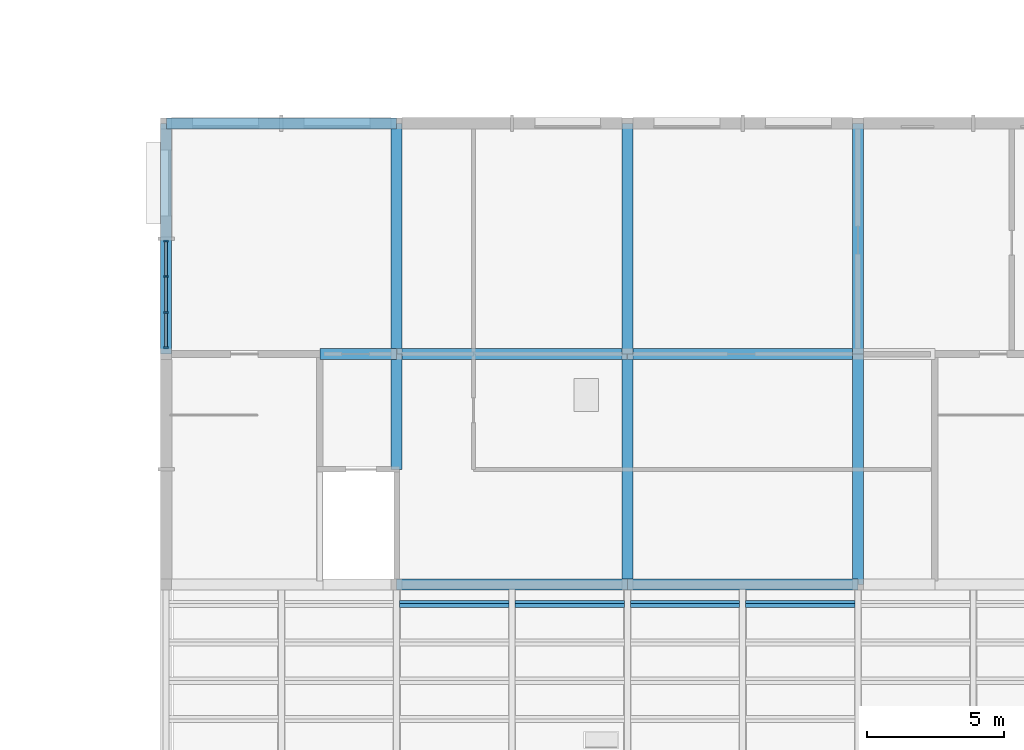
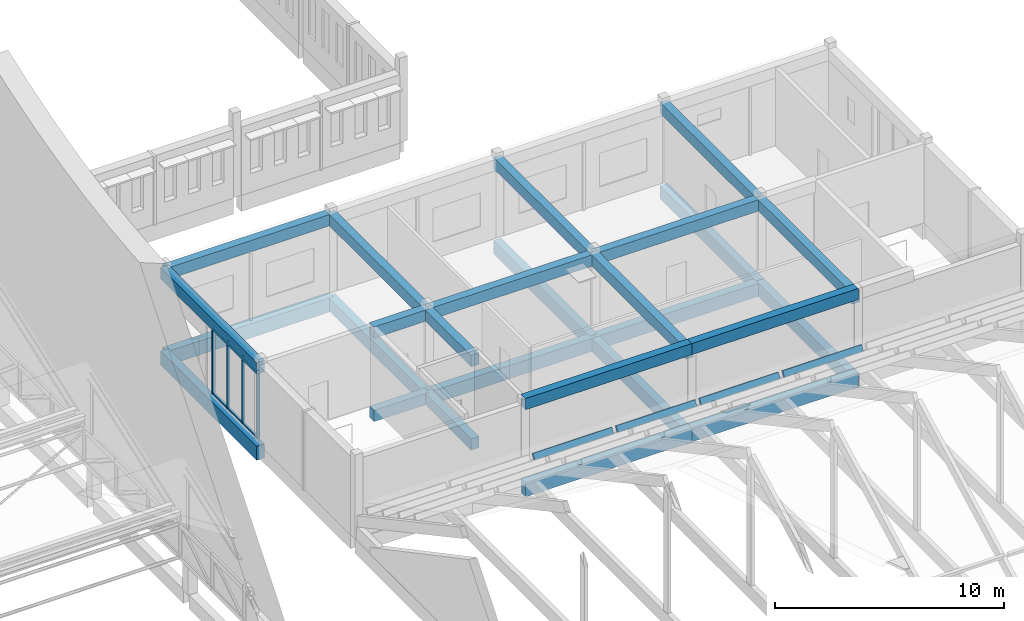
# One storey, part 46 of 101: 26 beams, 14 members, 1 element without a shape of its own.
"""IFC4 building model written with IfcOpenShell, lengths in metres."""

from ifc_helpers import new_model, si_unit, direction, frame, origin, origin_2d, place, context, subcontext, project, spatial, rectangle, extrude, material, material_profile, profile_set, type_object, element, aggregate, save


model = new_model("IFC4")

# Units and contexts
model_context = context("Model", 3, precision=1e-05, world=origin(), true_north=direction((0.0, 1.0)))
body_context = subcontext(model_context, "Body", "Model", "MODEL_VIEW")
ifc_project = project(units=[si_unit("LENGTHUNIT", "METRE"), si_unit("AREAUNIT", "SQUARE_METRE"), si_unit("VOLUMEUNIT", "CUBIC_METRE"), si_unit("PLANEANGLEUNIT", "RADIAN"), si_unit("MASSUNIT", "GRAM", prefix="KILO")], contexts=[model_context])

# Site, building, storey
site_placement = place(None, origin())
site = spatial("IfcSite", under=ifc_project, at=site_placement, CompositionType="ELEMENT")
building_placement = place(site_placement, origin())
building = spatial("IfcBuilding", under=site, at=building_placement, Name="Fescue Hill Polytechnic", CompositionType="ELEMENT")
storey_placement = place(building_placement, frame((0.0, 0.0, 9.0)))
storey = spatial("IfcBuildingStorey", under=building, at=storey_placement, Name="L02", CompositionType="ELEMENT", Elevation=9.0)

# Beams
ifc_material_1 = material(Name="Concrete 35 MPa", Category="concrete")
ifc_material_profile_1 = material_profile(ifc_material_1, rectangle(XDim=0.39990234375, YDim=0.60009765625, at=origin_2d()), Name="RC 400x600")
ifc_profile_set_1 = profile_set([ifc_material_profile_1], Name="Concrete 35 MPa")
beam_type_1 = type_object("IfcBeamType", Name="Beam RC 400x600", PredefinedType="BEAM", material=ifc_profile_set_1)
beam_1_placement = place(storey_placement, frame((131.60009765625, 42.0, -0.550048828125), z_axis=(1.0, 0.0, 0.0), x_axis=(0.0, 1.0, 0.0)))
element("IfcBeam", 1, at=beam_1_placement, inside=storey, type_object=beam_type_1, Name="BM-L02-0125", PredefinedType="BEAM", context=body_context, shape_type="SweptSolid", body=[
    extrude(rectangle(XDim=0.39990234375, YDim=0.60009765625, at=origin_2d()), origin(), (0.0, 0.0, 1.0), 2.789794921875),
])
beam_2_placement = place(storey_placement, frame((134.39990234375, 37.800048828125, -0.550048828125), z_axis=(0.0, 1.0, 0.0), x_axis=(-1.0, 0.0, 0.0)))
element("IfcBeam", 2, at=beam_2_placement, inside=storey, type_object=beam_type_1, Name="BM-L02-0126", PredefinedType="BEAM", context=body_context, shape_type="SweptSolid", body=[
    extrude(rectangle(XDim=0.39990234375, YDim=0.60009765625, at=origin_2d()), origin(), (0.0, 0.0, 1.0), 4.199951171875),
])
beam_3_placement = place(storey_placement, frame((126.0, 42.0, 3.89990234375), z_axis=(0.0, 1.0, 0.0), x_axis=(-1.0, 0.0, 0.0)))
element("IfcBeam", 3, at=beam_3_placement, inside=storey, type_object=beam_type_1, Name="BR-L02-0067", PredefinedType="BEAM", context=body_context, shape_type="SweptSolid", body=[
    extrude(rectangle(XDim=0.39990234375, YDim=0.60009765625, at=origin_2d()), origin(), (0.0, 0.0, 1.0), 8.39990234375),
])
beam_4_placement = place(storey_placement, frame((126.010009765625, 50.39990234375, 3.89990234375), z_axis=(1.0, 0.0, 0.0), x_axis=(0.0, 1.0, 0.0)))
element("IfcBeam", 4, at=beam_4_placement, inside=storey, type_object=beam_type_1, Name="BR-L02-0068", PredefinedType="BEAM", context=body_context, shape_type="SweptSolid", body=[
    extrude(rectangle(XDim=0.39990234375, YDim=0.60009765625, at=origin_2d()), origin(), (0.0, 0.0, 1.0), 8.3798828125),
])
beam_5_placement = place(storey_placement, frame((131.60009765625, 42.0, 3.89990234375), z_axis=(1.0, 0.0, 0.0), x_axis=(0.0, 1.0, 0.0)))
element("IfcBeam", 5, at=beam_5_placement, inside=storey, type_object=beam_type_1, Name="BR-L02-0069", PredefinedType="BEAM", context=body_context, shape_type="SweptSolid", body=[
    extrude(rectangle(XDim=0.39990234375, YDim=0.60009765625, at=origin_2d()), origin(), (0.0, 0.0, 1.0), 2.789794921875),
])
beam_6_placement = place(storey_placement, frame((134.39990234375, 37.800048828125, 3.89990234375), z_axis=(0.0, 1.0, 0.0), x_axis=(-1.0, 0.0, 0.0)))
element("IfcBeam", 6, at=beam_6_placement, inside=storey, type_object=beam_type_1, Name="BR-L02-0070", PredefinedType="BEAM", context=body_context, shape_type="SweptSolid", body=[
    extrude(rectangle(XDim=0.39990234375, YDim=0.60009765625, at=origin_2d()), origin(), (0.0, 0.0, 1.0), 4.199951171875),
])
beam_7_placement = place(storey_placement, frame((134.39990234375, 42.0, 3.89990234375), z_axis=(0.0, 1.0, 0.0), x_axis=(-1.0, 0.0, 0.0)))
element("IfcBeam", 7, at=beam_7_placement, inside=storey, type_object=beam_type_1, Name="BR-L02-0071", PredefinedType="BEAM", context=body_context, shape_type="SweptSolid", body=[
    extrude(rectangle(XDim=0.39990234375, YDim=0.60009765625, at=origin_2d()), origin(), (0.0, 0.0, 1.0), 8.39990234375),
])
beam_8_placement = place(storey_placement, frame((134.409912109375, 42.0, 3.89990234375), z_axis=(1.0, 0.0, 0.0), x_axis=(0.0, 1.0, 0.0)))
element("IfcBeam", 8, at=beam_8_placement, inside=storey, type_object=beam_type_1, Name="BR-L02-0072", PredefinedType="BEAM", context=body_context, shape_type="SweptSolid", body=[
    extrude(rectangle(XDim=0.39990234375, YDim=0.60009765625, at=origin_2d()), origin(), (0.0, 0.0, 1.0), 8.380126953125),
])
for number, where, z_axis, x_axis, name in (
    (9, (142.800048828125, 33.60009765625, 3.89990234375), (0.0, 1.0, 0.0), (-1.0, 0.0, 0.0), "BR-L02-0074"),
    (10, (142.800048828125, 42.0, 3.89990234375), (0.0, 1.0, 0.0), (-1.0, 0.0, 0.0), "BR-L02-0075"),
):
    element("IfcBeam", number, at=place(storey_placement, frame(where, z_axis=z_axis, x_axis=x_axis)), inside=storey, type_object=beam_type_1, Name=name, PredefinedType="BEAM", context=body_context, shape_type="SweptSolid", body=[
        extrude(rectangle(XDim=0.39990234375, YDim=0.60009765625, at=origin_2d()), origin(), (0.0, 0.0, 1.0), 8.39990234375),
    ])
beam_9_placement = place(storey_placement, frame((142.81005859375, 42.0, 3.89990234375), z_axis=(1.0, 0.0, 0.0), x_axis=(0.0, 1.0, 0.0)))
element("IfcBeam", 11, at=beam_9_placement, inside=storey, type_object=beam_type_1, Name="BR-L02-0076", PredefinedType="BEAM", context=body_context, shape_type="SweptSolid", body=[
    extrude(rectangle(XDim=0.39990234375, YDim=0.60009765625, at=origin_2d()), origin(), (0.0, 0.0, 1.0), 8.3798828125),
])
for number, where, z_axis, x_axis, name in (
    (12, (151.199951171875, 33.60009765625, 3.89990234375), (0.0, 1.0, 0.0), (-1.0, 0.0, 0.0), "BR-L02-0078"),
    (13, (151.199951171875, 42.0, 3.89990234375), (0.0, 1.0, 0.0), (-1.0, 0.0, 0.0), "BR-L02-0079"),
):
    element("IfcBeam", number, at=place(storey_placement, frame(where, z_axis=z_axis, x_axis=x_axis)), inside=storey, type_object=beam_type_1, Name=name, PredefinedType="BEAM", context=body_context, shape_type="SweptSolid", body=[
        extrude(rectangle(XDim=0.39990234375, YDim=0.60009765625, at=origin_2d()), origin(), (0.0, 0.0, 1.0), 8.39990234375),
    ])
beam_10_placement = place(storey_placement, frame((134.39990234375, 33.60009765625, 4.199951171875), z_axis=(1.0, 0.0, 0.0), x_axis=(0.0, 1.0, 0.0)))
element("IfcBeam", 14, at=beam_10_placement, inside=storey, type_object=beam_type_1, Name="BR-L02-0083", PredefinedType="BEAM", context=body_context, shape_type="SweptSolid", body=[
    extrude(rectangle(XDim=0.39990234375, YDim=0.60009765625, at=origin_2d()), origin(), (0.0, 0.0, 1.0), 8.400146484375),
])
beam_11_placement = place(storey_placement, frame((142.800048828125, 33.60009765625, 4.199951171875), z_axis=(1.0, 0.0, 0.0), x_axis=(0.0, 1.0, 0.0)))
element("IfcBeam", 15, at=beam_11_placement, inside=storey, type_object=beam_type_1, Name="BR-L02-0084", PredefinedType="BEAM", context=body_context, shape_type="SweptSolid", body=[
    extrude(rectangle(XDim=0.39990234375, YDim=0.60009765625, at=origin_2d()), origin(), (0.0, 0.0, 1.0), 8.39990234375),
])
ifc_material_profile_2 = material_profile(ifc_material_1, rectangle(XDim=0.39990234375, YDim=0.699951171875, at=origin_2d()), Name="RC 400x700")
ifc_profile_set_2 = profile_set([ifc_material_profile_2], Name="Concrete 35 MPa")
beam_type_2 = type_object("IfcBeamType", Name="Beam RC 400x700", PredefinedType="BEAM", material=ifc_profile_set_2)
beam_12_placement = place(storey_placement, frame((134.39990234375, 42.0, -0.60009765625), z_axis=(0.0, 1.0, 0.0), x_axis=(-1.0, 0.0, 0.0)))
element("IfcBeam", 16, at=beam_12_placement, inside=storey, type_object=beam_type_2, Name="BM-L02-0127", PredefinedType="BEAM", context=body_context, shape_type="SweptSolid", body=[
    extrude(rectangle(XDim=0.39990234375, YDim=0.699951171875, at=origin_2d()), origin(), (0.0, 0.0, 1.0), 8.39990234375),
])
beam_13_placement = place(storey_placement, frame((134.409912109375, 42.0, -0.60009765625), z_axis=(1.0, 0.0, 0.0), x_axis=(0.0, 1.0, 0.0)))
element("IfcBeam", 17, at=beam_13_placement, inside=storey, type_object=beam_type_2, Name="BM-L02-0128", PredefinedType="BEAM", context=body_context, shape_type="SweptSolid", body=[
    extrude(rectangle(XDim=0.39990234375, YDim=0.699951171875, at=origin_2d()), origin(), (0.0, 0.0, 1.0), 8.380126953125),
])
for number, where, z_axis, x_axis, name in (
    (18, (142.800048828125, 33.60009765625, -0.60009765625), (0.0, 1.0, 0.0), (-1.0, 0.0, 0.0), "BM-L02-0130"),
    (19, (142.800048828125, 42.0, -0.60009765625), (0.0, 1.0, 0.0), (-1.0, 0.0, 0.0), "BM-L02-0131"),
):
    element("IfcBeam", number, at=place(storey_placement, frame(where, z_axis=z_axis, x_axis=x_axis)), inside=storey, type_object=beam_type_2, Name=name, PredefinedType="BEAM", context=body_context, shape_type="SweptSolid", body=[
        extrude(rectangle(XDim=0.39990234375, YDim=0.699951171875, at=origin_2d()), origin(), (0.0, 0.0, 1.0), 8.39990234375),
    ])
beam_14_placement = place(storey_placement, frame((142.81005859375, 42.0, -0.60009765625), z_axis=(1.0, 0.0, 0.0), x_axis=(0.0, 1.0, 0.0)))
element("IfcBeam", 20, at=beam_14_placement, inside=storey, type_object=beam_type_2, Name="BM-L02-0132", PredefinedType="BEAM", context=body_context, shape_type="SweptSolid", body=[
    extrude(rectangle(XDim=0.39990234375, YDim=0.699951171875, at=origin_2d()), origin(), (0.0, 0.0, 1.0), 8.3798828125),
])
for number, where, z_axis, x_axis, name in (
    (21, (151.199951171875, 33.60009765625, -0.60009765625), (0.0, 1.0, 0.0), (-1.0, 0.0, 0.0), "BM-L02-0134"),
    (22, (151.199951171875, 42.0, -0.60009765625), (0.0, 1.0, 0.0), (-1.0, 0.0, 0.0), "BM-L02-0135"),
):
    element("IfcBeam", number, at=place(storey_placement, frame(where, z_axis=z_axis, x_axis=x_axis)), inside=storey, type_object=beam_type_2, Name=name, PredefinedType="BEAM", context=body_context, shape_type="SweptSolid", body=[
        extrude(rectangle(XDim=0.39990234375, YDim=0.699951171875, at=origin_2d()), origin(), (0.0, 0.0, 1.0), 8.39990234375),
    ])
ifc_material_profile_3 = material_profile(ifc_material_1, rectangle(XDim=0.39990234375, YDim=0.75, at=origin_2d()), Name="RC 400x750")
ifc_profile_set_3 = profile_set([ifc_material_profile_3], Name="Concrete 35 MPa")
beam_type_3 = type_object("IfcBeamType", Name="Beam RC 400x750", PredefinedType="BEAM", material=ifc_profile_set_3)
beam_15_placement = place(storey_placement, frame((126.0, 42.0, -0.625), z_axis=(0.0, 1.0, 0.0), x_axis=(-1.0, 0.0, 0.0)))
element("IfcBeam", 23, at=beam_15_placement, inside=storey, type_object=beam_type_3, Name="BM-L02-0123", PredefinedType="BEAM", context=body_context, shape_type="SweptSolid", body=[
    extrude(rectangle(XDim=0.39990234375, YDim=0.75, at=origin_2d()), origin(), (0.0, 0.0, 1.0), 8.39990234375),
])
beam_16_placement = place(storey_placement, frame((126.010009765625, 50.39990234375, -0.625), z_axis=(1.0, 0.0, 0.0), x_axis=(0.0, 1.0, 0.0)))
element("IfcBeam", 24, at=beam_16_placement, inside=storey, type_object=beam_type_3, Name="BM-L02-0124", PredefinedType="BEAM", context=body_context, shape_type="SweptSolid", body=[
    extrude(rectangle(XDim=0.39990234375, YDim=0.75, at=origin_2d()), origin(), (0.0, 0.0, 1.0), 8.3798828125),
])
beam_17_placement = place(storey_placement, frame((134.39990234375, 33.60009765625, -0.375), z_axis=(1.0, 0.0, 0.0), x_axis=(0.0, 1.0, 0.0)))
element("IfcBeam", 25, at=beam_17_placement, inside=storey, type_object=beam_type_3, Name="BM-L02-0196", PredefinedType="BEAM", context=body_context, shape_type="SweptSolid", body=[
    extrude(rectangle(XDim=0.39990234375, YDim=0.75, at=origin_2d()), origin(), (0.0, 0.0, 1.0), 8.400146484375),
])
beam_18_placement = place(storey_placement, frame((142.800048828125, 33.60009765625, -0.375), z_axis=(1.0, 0.0, 0.0), x_axis=(0.0, 1.0, 0.0)))
element("IfcBeam", 26, at=beam_18_placement, inside=storey, type_object=beam_type_3, Name="BM-L02-0201", PredefinedType="BEAM", context=body_context, shape_type="SweptSolid", body=[
    extrude(rectangle(XDim=0.39990234375, YDim=0.75, at=origin_2d()), origin(), (0.0, 0.0, 1.0), 8.39990234375),
])

# Curtain wall, members
ifc_material_2 = material(Name="Glass", Category="glass")
curtain_wall_type = type_object("IfcCurtainWallType", Name="Curtain wall structural glazing", PredefinedType="NOTDEFINED", material=ifc_material_2)
curtain_wall_placement = place(storey_placement, origin())
curtain_wall = element("IfcCurtainWall", 27, at=curtain_wall_placement, inside=storey, type_object=curtain_wall_type, Name="CW-L02-V3-X1", PredefinedType="NOTDEFINED")
ifc_material_3 = material(Name="Powder-coated aluminium", Category="aluminium")
ifc_material_profile_4 = material_profile(ifc_material_3, rectangle(XDim=0.159912109375, YDim=0.06005859375, at=origin_2d()), Name="Mullion aluminium 60x160")
ifc_profile_set_4 = profile_set([ifc_material_profile_4], Name="Powder-coated aluminium")
member_type_1 = type_object("IfcMemberType", Name="Mullion aluminium 60x160", PredefinedType="MULLION", material=ifc_profile_set_4)
member_1_placement = place(storey_placement, frame((126.0, 46.110107421875, 0.0), z_axis=(0.0, 0.0, 1.0), x_axis=(1.0, 0.0, 0.0)))
member_1 = element("IfcMember", 28, at=member_1_placement, type_object=member_type_1, Name="CW117 mullion 1", PredefinedType="MULLION", context=body_context, shape_type="SweptSolid", body=[
    extrude(rectangle(XDim=0.159912109375, YDim=0.06005859375, at=origin_2d()), origin(), (0.0, 0.0, 1.0), 3.580078125),
])
member_2_placement = place(storey_placement, frame((126.0, 44.82666015625, 0.0), z_axis=(0.0, 0.0, 1.0), x_axis=(1.0, 0.0, 0.0)))
member_2 = element("IfcMember", 29, at=member_2_placement, type_object=member_type_1, Name="CW117 mullion 2", PredefinedType="MULLION", context=body_context, shape_type="SweptSolid", body=[
    extrude(rectangle(XDim=0.159912109375, YDim=0.06005859375, at=origin_2d()), origin(), (0.0, 0.0, 1.0), 3.580078125),
])
member_3_placement = place(storey_placement, frame((126.0, 43.513427734375, 0.0), z_axis=(0.0, 0.0, 1.0), x_axis=(1.0, 0.0, 0.0)))
member_3 = element("IfcMember", 30, at=member_3_placement, type_object=member_type_1, Name="CW117 mullion 3", PredefinedType="MULLION", context=body_context, shape_type="SweptSolid", body=[
    extrude(rectangle(XDim=0.159912109375, YDim=0.06005859375, at=origin_2d()), origin(), (0.0, 0.0, 1.0), 3.580078125),
])
member_4_placement = place(storey_placement, frame((126.0, 42.22998046875, 0.0), z_axis=(0.0, 0.0, 1.0), x_axis=(1.0, 0.0, 0.0)))
member_4 = element("IfcMember", 31, at=member_4_placement, type_object=member_type_1, Name="CW117 mullion 4", PredefinedType="MULLION", context=body_context, shape_type="SweptSolid", body=[
    extrude(rectangle(XDim=0.159912109375, YDim=0.06005859375, at=origin_2d()), origin(), (0.0, 0.0, 1.0), 3.580078125),
])

# Members
ifc_material_4 = material(Name="Glulam 24f-EX", Category="wood")
ifc_material_profile_5 = material_profile(ifc_material_4, rectangle(XDim=0.1298828125, YDim=0.303955078125, at=origin_2d()), Name="Refectory glulam purlin 130x304")
ifc_profile_set_5 = profile_set([ifc_material_profile_5], Name="Glulam 24f-EX")
member_type_2 = type_object("IfcMemberType", Name="Refectory glulam purlin 130x304", PredefinedType="PURLIN", material=ifc_profile_set_5)
for number, where, z_axis, x_axis, name in (
    (32, (134.507568359375, 32.89990234375, 1.67138671875), (1.0, 0.0, 0.0), (0.0, 0.882934197129, -0.469496755623), "Refectory purlin N1 bay 3"),
    (33, (138.70751953125, 32.89990234375, 1.67138671875), (1.0, 0.0, 0.0), (0.0, 0.882934197129, -0.469496755623), "Refectory purlin N1 bay 4"),
):
    element("IfcMember", number, at=place(storey_placement, frame(where, z_axis=z_axis, x_axis=x_axis)), inside=storey, type_object=member_type_2, Name=name, PredefinedType="PURLIN", context=body_context, shape_type="SweptSolid", body=[
        extrude(rectangle(XDim=0.1298828125, YDim=0.303955078125, at=origin_2d()), origin(), (0.0, 0.0, 1.0), 3.98486328125),
    ])
for number, where, z_axis, x_axis, name in (
    (34, (142.907470703125, 32.89990234375, 1.67138671875), (1.0, 0.0, 0.0), (0.0, 0.882934197129, -0.469496755623), "Refectory purlin N1 bay 5"),
    (35, (147.107421875, 32.89990234375, 1.67138671875), (1.0, 0.0, 0.0), (0.0, 0.882934197129, -0.469496755623), "Refectory purlin N1 bay 6"),
):
    element("IfcMember", number, at=place(storey_placement, frame(where, z_axis=z_axis, x_axis=x_axis)), inside=storey, type_object=member_type_2, Name=name, PredefinedType="PURLIN", context=body_context, shape_type="SweptSolid", body=[
        extrude(rectangle(XDim=0.1298828125, YDim=0.303955078125, at=origin_2d()), origin(), (0.0, 0.0, 1.0), 3.985107421875),
    ])

# Member
ifc_material_profile_6 = material_profile(ifc_material_3, rectangle(XDim=0.1201171875, YDim=0.06005859375, at=origin_2d()), Name="Transom aluminium 60x120")
ifc_profile_set_6 = profile_set([ifc_material_profile_6], Name="Powder-coated aluminium")
member_type_3 = type_object("IfcMemberType", Name="Transom aluminium 60x120", PredefinedType="USERDEFINED", material=ifc_profile_set_6)
member_5_placement = place(storey_placement, frame((126.0, 46.080078125, 0.030029296875), z_axis=(0.0, -1.0, 0.0), x_axis=(1.0, 0.0, 0.0)))
member_5 = element("IfcMember", 36, at=member_5_placement, type_object=member_type_3, Name="CW117 transom 1.1", ObjectType="TRANSOM", PredefinedType="USERDEFINED", context=body_context, shape_type="SweptSolid", body=[
    extrude(rectangle(XDim=0.1201171875, YDim=0.06005859375, at=origin_2d()), origin(), (0.0, 0.0, 1.0), 1.223388671875),
])

member_6_placement = place(storey_placement, frame((126.0, 46.080078125, 3.550048828125), z_axis=(0.0, -1.0, 0.0), x_axis=(1.0, 0.0, 0.0)))
member_6 = element("IfcMember", 37, at=member_6_placement, type_object=member_type_3, Name="CW117 transom 1.2", ObjectType="TRANSOM", PredefinedType="USERDEFINED", context=body_context, shape_type="SweptSolid", body=[
    extrude(rectangle(XDim=0.1201171875, YDim=0.06005859375, at=origin_2d()), origin(), (0.0, 0.0, 1.0), 1.223388671875),
])

member_7_placement = place(storey_placement, frame((126.0, 44.796630859375, 0.030029296875), z_axis=(0.0, -1.0, 0.0), x_axis=(1.0, 0.0, 0.0)))
member_7 = element("IfcMember", 38, at=member_7_placement, type_object=member_type_3, Name="CW117 transom 2.1", ObjectType="TRANSOM", PredefinedType="USERDEFINED", context=body_context, shape_type="SweptSolid", body=[
    extrude(rectangle(XDim=0.1201171875, YDim=0.06005859375, at=origin_2d()), origin(), (0.0, 0.0, 1.0), 1.25341796875),
])

member_8_placement = place(storey_placement, frame((126.0, 44.796630859375, 3.550048828125), z_axis=(0.0, -1.0, 0.0), x_axis=(1.0, 0.0, 0.0)))
member_8 = element("IfcMember", 39, at=member_8_placement, type_object=member_type_3, Name="CW117 transom 2.2", ObjectType="TRANSOM", PredefinedType="USERDEFINED", context=body_context, shape_type="SweptSolid", body=[
    extrude(rectangle(XDim=0.1201171875, YDim=0.06005859375, at=origin_2d()), origin(), (0.0, 0.0, 1.0), 1.25341796875),
])

member_9_placement = place(storey_placement, frame((126.0, 43.4833984375, 0.030029296875), z_axis=(0.0, -1.0, 0.0), x_axis=(1.0, 0.0, 0.0)))
member_9 = element("IfcMember", 40, at=member_9_placement, type_object=member_type_3, Name="CW117 transom 3.1", ObjectType="TRANSOM", PredefinedType="USERDEFINED", context=body_context, shape_type="SweptSolid", body=[
    extrude(rectangle(XDim=0.1201171875, YDim=0.06005859375, at=origin_2d()), origin(), (0.0, 0.0, 1.0), 1.223388671875),
])

member_10_placement = place(storey_placement, frame((126.0, 43.4833984375, 3.550048828125), z_axis=(0.0, -1.0, 0.0), x_axis=(1.0, 0.0, 0.0)))
member_10 = element("IfcMember", 41, at=member_10_placement, type_object=member_type_3, Name="CW117 transom 3.2", ObjectType="TRANSOM", PredefinedType="USERDEFINED", context=body_context, shape_type="SweptSolid", body=[
    extrude(rectangle(XDim=0.1201171875, YDim=0.06005859375, at=origin_2d()), origin(), (0.0, 0.0, 1.0), 1.223388671875),
])

aggregate(curtain_wall, [member_1, member_2, member_3, member_4, member_5, member_6, member_7, member_8, member_9, member_10])

save(model, "model.ifc")
